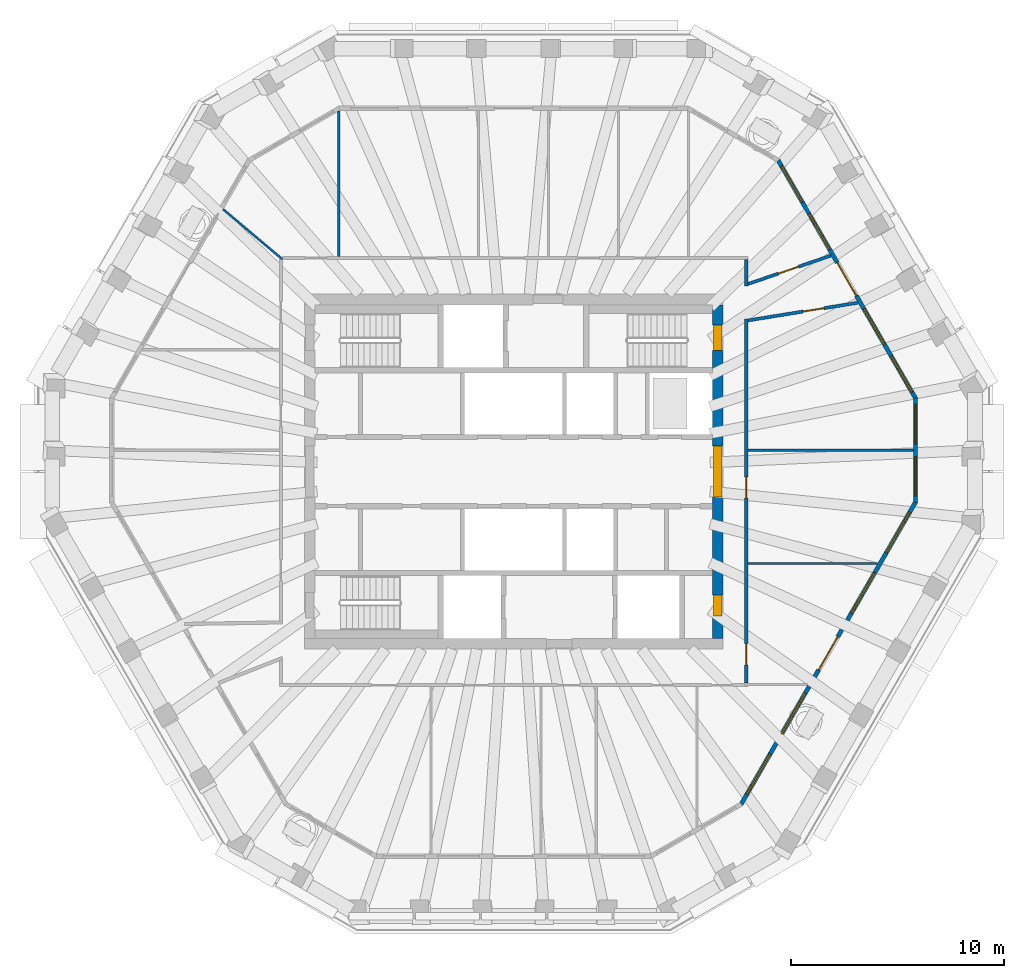
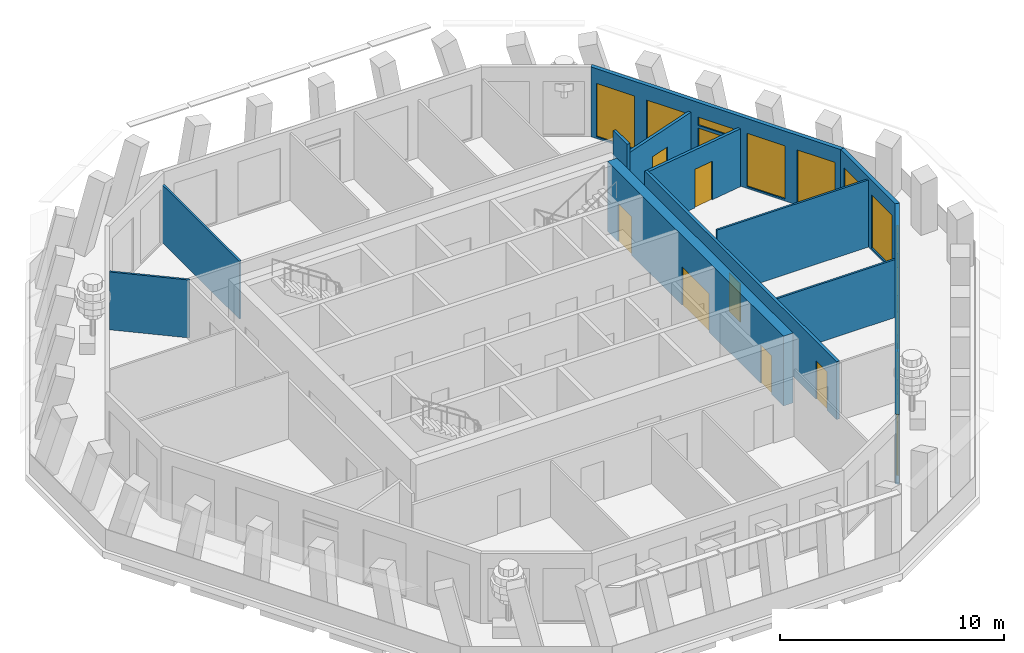
# One storey, part 6 of 11: 12 walls, 12 windows, 9 doors, 21 openings.
"""IFC4 building model written with IfcOpenShell, lengths in metres."""

import ifcopenshell
import ifcopenshell.guid

model = None  # the IFC model being written
_history = None  # IfcOwnerHistory: only IFC2X3 demands one
_inside = {}  # id of a spatial element -> (the spatial element, [elements in it])
_under = {}  # id of a project, library or spatial element -> (it, [spatial elements below it])
_declared = {}  # id of a project -> (the project, [libraries it declares])
_typed = {}  # id of a type object -> (the type object, [elements of that type])
_made_of = {}  # id of a material, layer set ... -> (it, [elements and type objects made of it])


def new_model(schema):
    """Start an empty IFC model of exactly this schema.

    Asked for "IFC4X3", IfcOpenShell would pick the latest addendum, in which some entities
    have other attributes; the version numbers below select the first issue.
    IFC2X3 requires an IfcOwnerHistory on every rooted entity: one is made here for all.
    """
    global model, _history
    if schema == "IFC4X3":
        model = ifcopenshell.file(schema_version=(4, 3, 0, 0))
    else:
        model = ifcopenshell.file(schema=schema)
    _inside.clear()
    _under.clear()
    _declared.clear()
    _typed.clear()
    _made_of.clear()
    _history = None
    if model.schema == "IFC2X3":
        org = make("IfcOrganization", Name="unknown")
        user = make(
            "IfcPersonAndOrganization",
            ThePerson=make("IfcPerson", FamilyName="unknown"),
            TheOrganization=org,
        )
        app = make(
            "IfcApplication",
            ApplicationDeveloper=org,
            Version="unknown",
            ApplicationFullName="unknown",
            ApplicationIdentifier="unknown",
        )
        _history = make(
            "IfcOwnerHistory",
            OwningUser=user,
            OwningApplication=app,
            ChangeAction="ADDED",
            CreationDate=0,
        )
    return model


def make(cls, **values):
    """One entity of the class cls with the attributes given. An attribute that is None is left unset."""
    return model.create_entity(
        cls, **{name: value for name, value in values.items() if value is not None}
    )


def rooted(cls, **values):
    """An entity with a GlobalId (a new one), such as an element, a storey or a relation."""
    return make(cls, GlobalId=ifcopenshell.guid.new(), OwnerHistory=_history, **values)


def si_unit(unit_type, name, prefix=None):
    """IfcSIUnit, for example si_unit("LENGTHUNIT", "METRE", prefix="MILLI")."""
    return make("IfcSIUnit", UnitType=unit_type, Prefix=prefix, Name=name)


def assignment(units):
    """IfcUnitAssignment: the units of a project."""
    return None if units is None else make("IfcUnitAssignment", Units=units)


def point(xyz):
    """IfcCartesianPoint."""
    return None if xyz is None else make("IfcCartesianPoint", Coordinates=xyz)


def direction(xyz):
    """IfcDirection."""
    return None if xyz is None else make("IfcDirection", DirectionRatios=xyz)


def frame(location, z_axis=None, x_axis=None):
    """IfcAxis2Placement3D, a coordinate frame: its origin and axes. An axis left out is left unset."""
    return make(
        "IfcAxis2Placement3D",
        Location=point(location),
        Axis=direction(z_axis),
        RefDirection=direction(x_axis),
    )


def frame_2d(location, x_axis=None):
    """IfcAxis2Placement2D, a coordinate frame in the plane: its origin and x axis."""
    return make(
        "IfcAxis2Placement2D", Location=point(location), RefDirection=direction(x_axis)
    )


def origin():
    """The frame at (0, 0, 0) with its axes left unset."""
    return frame((0.0, 0.0, 0.0))


def place(relative_to, where):
    """IfcLocalPlacement: puts the frame where relative to a parent placement (None: the world)."""
    return make(
        "IfcLocalPlacement", PlacementRelTo=relative_to, RelativePlacement=where
    )


def context(
    kind, dimensions, precision=None, world=None, true_north=None, identifier=None
):
    """IfcGeometricRepresentationContext, for example the 3D "Model" context."""
    return make(
        "IfcGeometricRepresentationContext",
        ContextIdentifier=identifier,
        ContextType=kind,
        CoordinateSpaceDimension=dimensions,
        Precision=precision,
        WorldCoordinateSystem=world,
        TrueNorth=true_north,
    )


def subcontext(parent, identifier, kind, view, scale=None):
    """IfcGeometricRepresentationSubContext, for example "Body" below "Model"."""
    return make(
        "IfcGeometricRepresentationSubContext",
        ContextIdentifier=identifier,
        ContextType=kind,
        ParentContext=parent,
        TargetScale=scale,
        TargetView=view,
    )


def project(units=None, contexts=None):
    """IfcProject with its units and contexts."""
    return rooted(
        "IfcProject",
        Name="project",
        RepresentationContexts=contexts,
        UnitsInContext=assignment(units),
    )


def spatial(cls, under=None, at=None, **own):
    """A site, building, storey or space (cls), placed at a placement, below another one or the project."""
    s = rooted(cls, ObjectPlacement=at, **own)
    if under is not None:
        _under.setdefault(under.id(), (under, []))[1].append(s)
    return s


def polyline(points):
    """IfcPolyline through the points."""
    return make("IfcPolyline", Points=[point(p) for p in points])


def profile(cls, at=None, kind="AREA", **sizes):
    """A parametric profile (cls). Its sizes go by their IFC names, for example OverallWidth=200.0."""
    return make(cls, ProfileType=kind, Position=at, **sizes)


def rectangle(**sizes):
    """IfcRectangleProfileDef."""
    return profile("IfcRectangleProfileDef", **sizes)


def outline(outer, holes=None, kind="AREA"):
    """IfcArbitraryClosedProfileDef: a profile drawn as a closed curve; with holes, ...WithVoids."""
    if holes is None:
        return make("IfcArbitraryClosedProfileDef", ProfileType=kind, OuterCurve=outer)
    return make(
        "IfcArbitraryProfileDefWithVoids",
        ProfileType=kind,
        OuterCurve=outer,
        InnerCurves=holes,
    )


def extrude(swept, where, along, depth):
    """IfcExtrudedAreaSolid: the profile swept, set in the frame where, extruded along a direction by depth."""
    return make(
        "IfcExtrudedAreaSolid",
        SweptArea=swept,
        Position=where,
        ExtrudedDirection=direction(along),
        Depth=depth,
    )


def shape(context_of_items, identifier, shape_type, items):
    """IfcShapeRepresentation: the items that make up one representation, for example the "Body"."""
    return make(
        "IfcShapeRepresentation",
        ContextOfItems=context_of_items,
        RepresentationIdentifier=identifier,
        RepresentationType=shape_type,
        Items=items,
    )


def material(Name=None, Category=None):
    """IfcMaterial."""
    return make("IfcMaterial", Name=Name, Category=Category)


def layer(
    of_material, thickness, ventilated=None, Name=None, Category=None, Priority=None
):
    """IfcMaterialLayer: one layer of a wall or slab, of a material (None: an air gap)."""
    return make(
        "IfcMaterialLayer",
        Material=of_material,
        LayerThickness=thickness,
        IsVentilated=ventilated,
        Name=Name,
        Category=Category,
        Priority=Priority,
    )


def layer_set(layers, Name=None):
    """IfcMaterialLayerSet."""
    return make("IfcMaterialLayerSet", MaterialLayers=layers, LayerSetName=Name)


def made_of(thing, what):
    """Note that an element or type object is made of a material, layer set ...; save() writes the relation."""
    if what is not None:
        _made_of.setdefault(what.id(), (what, []))[1].append(thing)
    return thing


def type_object(cls, material=None, **own):
    """A type object (cls), such as IfcWallType, which elements share."""
    return made_of(rooted(cls, **own), material)


def element(
    cls,
    number,
    at=None,
    inside=None,
    cuts=None,
    type_object=None,
    material=None,
    context=None,
    identifier="Body",
    shape_type=None,
    held_by="IfcProductDefinitionShape",
    body=None,
    shapes=None,
    **own,
):
    """One element of the class cls, such as IfcWall. Its Tag is "e" and its number.

    at: its placement. inside: the storey or other place that contains it. cuts: it is an
    opening in that element (IfcRelVoidsElement). A single representation is given by context,
    identifier, shape_type and body (its items); several are given by shapes. held_by: the class
    of the entity that holds the representations. save() writes the other relations.
    """
    e = rooted(cls, Tag="e%d" % number, ObjectPlacement=at, **own)
    if body is not None:
        shapes = [shape(context, identifier, shape_type, body)]
    if shapes is not None:
        e.Representation = make(held_by, Representations=shapes)
    if inside is not None:
        _inside.setdefault(inside.id(), (inside, []))[1].append(e)
    if cuts is not None:
        rooted(
            "IfcRelVoidsElement", RelatingBuildingElement=cuts, RelatedOpeningElement=e
        )
    if type_object is not None:
        _typed.setdefault(type_object.id(), (type_object, []))[1].append(e)
    return made_of(e, material)


def fill(opening, filler):
    """IfcRelFillsElement: the door or window that sits in an opening."""
    return rooted(
        "IfcRelFillsElement",
        RelatingOpeningElement=opening,
        RelatedBuildingElement=filler,
    )


def aggregate(whole, parts):
    """IfcRelAggregates: a whole, such as a stair, and the parts it consists of."""
    return rooted("IfcRelAggregates", RelatingObject=whole, RelatedObjects=parts)


def save(model, path):
    """Write the relations noted so far, then the file.

    IfcRelAggregates (storeys below a building ...), IfcRelContainedInSpatialStructure (elements
    in a storey), IfcRelDefinesByType, IfcRelAssociatesMaterial and IfcRelDeclares: one each for
    every whole, place, type object, material and project.
    """
    for whole, parts in _under.values():
        aggregate(whole, parts)
    for where, things in _inside.values():
        rooted(
            "IfcRelContainedInSpatialStructure",
            RelatedElements=things,
            RelatingStructure=where,
        )
    for kind, things in _typed.values():
        rooted("IfcRelDefinesByType", RelatedObjects=things, RelatingType=kind)
    for what, things in _made_of.values():
        rooted("IfcRelAssociatesMaterial", RelatedObjects=things, RelatingMaterial=what)
    for by, libraries in _declared.values():
        rooted("IfcRelDeclares", RelatingContext=by, RelatedDefinitions=libraries)
    model.write(path)


model = new_model("IFC4")

# Units and contexts
model_context = context("Model", 3, precision=1e-05, world=origin(), true_north=direction((0.0, 1.0)))
body_context = subcontext(model_context, "Body", "Model", "MODEL_VIEW")
ifc_project = project(units=[si_unit("LENGTHUNIT", "METRE"), si_unit("AREAUNIT", "SQUARE_METRE"), si_unit("VOLUMEUNIT", "CUBIC_METRE"), si_unit("PLANEANGLEUNIT", "RADIAN"), si_unit("MASSUNIT", "GRAM", prefix="KILO")], contexts=[model_context])

# Site, building, storey
site_placement = place(None, origin())
site = spatial("IfcSite", under=ifc_project, at=site_placement, CompositionType="ELEMENT")
building_placement = place(site_placement, origin())
building = spatial("IfcBuilding", under=site, at=building_placement, Name="Frailejon Research Tower", CompositionType="ELEMENT")
storey_placement = place(building_placement, frame((0.0, 0.0, 340.60009765625)))
storey = spatial("IfcBuildingStorey", under=building, at=storey_placement, Name="L76", CompositionType="ELEMENT", Elevation=340.60009765625)

# Wall, openings, doors
ifc_material_1 = material(Name="Concrete C50/60", Category="concrete")
ifc_layer_1 = layer(ifc_material_1, 0.5)
ifc_layer_set_1 = layer_set([ifc_layer_1], Name="Core shear wall 500 C50/60")
wall_type_1 = type_object("IfcWallType", Name="Core shear wall 500 C50/60", PredefinedType="SHEAR", material=ifc_layer_set_1)
wall_1_placement = place(storey_placement, frame((9.60009765625, -7.85009765625, 0.0), z_axis=(0.0, 0.0, 1.0), x_axis=(0.0, 1.0, 0.0)))
wall_1 = element("IfcWall", 1, at=wall_1_placement, inside=storey, type_object=wall_type_1, Name="Core shear wall", PredefinedType="SHEAR", context=body_context, shape_type="SweptSolid", body=[
    extrude(rectangle(XDim=15.7001953125, YDim=0.5, at=frame_2d((7.85009765625, 0.0))), origin(), (0.0, 0.0, 1.0), 3.7998046875),
])
opening_1_placement = place(wall_1_placement, frame((6.64990234375, 0.0, 0.0)))
opening_1 = element("IfcOpeningElement", 2, at=opening_1_placement, cuts=wall_1, Name="Opening D2", PredefinedType="OPENING", context=body_context, shape_type="SweptSolid", body=[
    extrude(rectangle(XDim=2.39990234375, YDim=2.10009765625, at=frame_2d((1.199951171875, 1.050048828125))), frame((0.0, 0.260009765625, 0.0), z_axis=(0.0, -1.0, 0.0), x_axis=(1.0, 0.0, 0.0)), (0.0, 0.0, 1.0), 0.52001953125),
])
opening_2_placement = place(wall_1_placement, frame((13.550048828125, 0.0, 0.0)))
opening_2 = element("IfcOpeningElement", 3, at=opening_2_placement, cuts=wall_1, Name="Opening D1", PredefinedType="OPENING", context=body_context, shape_type="SweptSolid", body=[
    extrude(rectangle(XDim=1.199951171875, YDim=2.10009765625, at=frame_2d((0.60009765625, 1.050048828125))), frame((0.0, 0.260009765625, 0.0), z_axis=(0.0, -1.0, 0.0), x_axis=(1.0, 0.0, 0.0)), (0.0, 0.0, 1.0), 0.52001953125),
])
opening_3_placement = place(wall_1_placement, frame((1.050048828125, 0.0, 0.0)))
opening_3 = element("IfcOpeningElement", 4, at=opening_3_placement, cuts=wall_1, Name="Opening D4", PredefinedType="OPENING", context=body_context, shape_type="SweptSolid", body=[
    extrude(rectangle(XDim=1.0, YDim=2.10009765625, at=frame_2d((0.5, 1.050048828125))), frame((0.0, 0.260009765625, 0.0), z_axis=(0.0, -1.0, 0.0), x_axis=(1.0, 0.0, 0.0)), (0.0, 0.0, 1.0), 0.52001953125),
])
ifc_material_2 = material(Name="Steel", Category="steel")
door_type_1 = type_object("IfcDoorType", Name="Lobby double door", OperationType="DOUBLE_DOOR_SINGLE_SWING", PredefinedType="DOOR", material=ifc_material_2)
door_1_placement = place(opening_1_placement, origin())
door_1 = element("IfcDoor", 5, at=door_1_placement, inside=storey, type_object=door_type_1, Name="Lobby door", OperationType="DOUBLE_DOOR_SINGLE_SWING", OverallHeight=2.10009765625, OverallWidth=2.39990234375, PredefinedType="DOOR", context=body_context, shape_type="SweptSolid", body=[
    extrude(rectangle(XDim=2.39990234375, YDim=2.10009765625, at=frame_2d((1.199951171875, 1.050048828125))), frame((0.0, 0.199951171875, 0.0), z_axis=(0.0, -1.0, 0.0), x_axis=(1.0, 0.0, 0.0)), (0.0, 0.0, 1.0), 0.39990234375),
])
fill(opening_1, door_1)
ifc_material_3 = material(Name="Steel", Category="steel")
door_type_2 = type_object("IfcDoorType", Name="Service door", OperationType="SINGLE_SWING_LEFT", PredefinedType="DOOR", material=ifc_material_3)
door_2_placement = place(opening_3_placement, origin())
door_2 = element("IfcDoor", 6, at=door_2_placement, inside=storey, type_object=door_type_2, Name="Riser door", OperationType="SINGLE_SWING_LEFT", OverallHeight=2.10009765625, OverallWidth=1.0, PredefinedType="DOOR", context=body_context, shape_type="SweptSolid", body=[
    extrude(rectangle(XDim=1.0, YDim=2.10009765625, at=frame_2d((0.5, 1.050048828125))), frame((0.0, 0.199951171875, 0.0), z_axis=(0.0, -1.0, 0.0), x_axis=(1.0, 0.0, 0.0)), (0.0, 0.0, 1.0), 0.39990234375),
])
fill(opening_3, door_2)
ifc_material_4 = material(Name="Steel", Category="steel")
door_type_3 = type_object("IfcDoorType", Name="Stair door", OperationType="SINGLE_SWING_LEFT", PredefinedType="DOOR", material=ifc_material_4)
door_3_placement = place(opening_2_placement, origin())
door_3 = element("IfcDoor", 7, at=door_3_placement, inside=storey, type_object=door_type_3, Name="Stair door ST3", OperationType="SINGLE_SWING_RIGHT", OverallHeight=2.10009765625, OverallWidth=1.199951171875, PredefinedType="DOOR", context=body_context, shape_type="SweptSolid", body=[
    extrude(rectangle(XDim=1.199951171875, YDim=2.10009765625, at=frame_2d((0.60009765625, 1.050048828125))), frame((0.0, 0.199951171875, 0.0), z_axis=(0.0, -1.0, 0.0), x_axis=(1.0, 0.0, 0.0)), (0.0, 0.0, 1.0), 0.39990234375),
])
fill(opening_2, door_3)

# Wall, opening, door
ifc_material_5 = material(Name="Gypsum board and masonry partition", Category="masonry")
ifc_layer_2 = layer(ifc_material_5, 0.14990234375)
ifc_layer_set_2 = layer_set([ifc_layer_2], Name="Corridor wall EI 60, gypsum on steel studs 150")
wall_type_2 = type_object("IfcWallType", Name="Corridor wall EI 60, gypsum on steel studs 150", PredefinedType="PARTITIONING", material=ifc_layer_set_2)
wall_2_placement = place(storey_placement, frame((11.02392578125, 7.11181640625, 0.0), z_axis=(0.0, 0.0, 1.0), x_axis=(0.987284504, 0.158963228962, 0.0)))
wall_2 = element("IfcWall", 8, at=wall_2_placement, inside=storey, type_object=wall_type_2, Name="T:IW:L76:001", PredefinedType="PARTITIONING", context=body_context, shape_type="SweptSolid", body=[
    extrude(rectangle(XDim=5.246337890625, YDim=0.14990234375, at=frame_2d((2.623046875, 0.0))), origin(), (0.0, 0.0, 1.0), 3.14990234375),
])
opening_4_placement = place(wall_2_placement, frame((2.62890625, 0.0, 0.0)))
opening_4 = element("IfcOpeningElement", 9, at=opening_4_placement, cuts=wall_2, Name="Opening D2414", PredefinedType="OPENING", context=body_context, shape_type="SweptSolid", body=[
    extrude(rectangle(XDim=1.0, YDim=2.10009765625, at=frame_2d((0.5, 1.050048828125))), frame((0.0, 0.0849609375, 0.0), z_axis=(0.0, -1.0, 0.0), x_axis=(1.0, 0.0, 0.0)), (0.0, 0.0, 1.0), 0.169921875),
])
ifc_material_6 = material(Name="Timber door leaf", Category="wood")
door_type_4 = type_object("IfcDoorType", Name="Door single leaf, timber, steel frame 1000", OperationType="NOTDEFINED", PredefinedType="DOOR", material=ifc_material_6)
door_4_placement = place(opening_4_placement, origin())
door_4 = element("IfcDoor", 10, at=door_4_placement, inside=storey, type_object=door_type_4, Name="D2414", OperationType="SINGLE_SWING_RIGHT", OverallHeight=2.10009765625, OverallWidth=1.0, PredefinedType="DOOR", context=body_context, shape_type="SweptSolid", body=[
    extrude(rectangle(XDim=1.0, YDim=2.10009765625, at=frame_2d((0.5, 1.050048828125))), frame((0.0, 0.02490234375, 0.0), z_axis=(0.0, -1.0, 0.0), x_axis=(1.0, 0.0, 0.0)), (0.0, 0.0, 1.0), 0.050048828125),
])
fill(opening_4, door_4)

wall_3_placement = place(storey_placement, frame((11.02099609375, 8.82421875, 0.0), z_axis=(0.0, 0.0, 1.0), x_axis=(0.94616303127, 0.323690466738, 0.0)))
wall_3 = element("IfcWall", 11, at=wall_3_placement, inside=storey, type_object=wall_type_2, Name="T:IW:L76:002", PredefinedType="PARTITIONING", context=body_context, shape_type="SweptSolid", body=[
    extrude(rectangle(XDim=4.12646484375, YDim=0.14990234375, at=frame_2d((2.063232421875, 0.0))), origin(), (0.0, 0.0, 1.0), 3.14990234375),
])
opening_5_placement = place(wall_3_placement, frame((1.525634765625, 0.0, 0.0)))
opening_5 = element("IfcOpeningElement", 12, at=opening_5_placement, cuts=wall_3, Name="Opening D2415", PredefinedType="OPENING", context=body_context, shape_type="SweptSolid", body=[
    extrude(rectangle(XDim=1.0, YDim=2.10009765625, at=frame_2d((0.5, 1.050048828125))), frame((0.0, 0.0849609375, 0.0), z_axis=(0.0, -1.0, 0.0), x_axis=(1.0, 0.0, 0.0)), (0.0, 0.0, 1.0), 0.169921875),
])
door_5_placement = place(opening_5_placement, origin())
door_5 = element("IfcDoor", 13, at=door_5_placement, inside=storey, type_object=door_type_4, Name="D2415", OperationType="SINGLE_SWING_LEFT", OverallHeight=2.10009765625, OverallWidth=1.0, PredefinedType="DOOR", context=body_context, shape_type="SweptSolid", body=[
    extrude(rectangle(XDim=1.0, YDim=2.10009765625, at=frame_2d((0.5, 1.050048828125))), frame((0.0, 0.02490234375, 0.0), z_axis=(0.0, -1.0, 0.0), x_axis=(1.0, 0.0, 0.0)), (0.0, 0.0, 1.0), 0.050048828125),
])
fill(opening_5, door_5)

# Wall, openings, doors
wall_4_placement = place(storey_placement, frame((10.949951171875, -9.94970703125, 0.0), z_axis=(0.0, 0.0, 1.0), x_axis=(0.0, 1.0, 0.0)))
wall_4 = element("IfcWall", 14, at=wall_4_placement, inside=storey, type_object=wall_type_2, Name="T:IW:L76:003", PredefinedType="PARTITIONING", context=body_context, shape_type="SweptSolid", body=[
    extrude(rectangle(XDim=17.124755859375, YDim=0.14990234375, at=frame_2d((8.5625, 0.0))), origin(), (0.0, 0.0, 1.0), 3.14990234375),
])
opening_6_placement = place(wall_4_placement, frame((0.849609375, 0.0, 0.0)))
opening_6 = element("IfcOpeningElement", 15, at=opening_6_placement, cuts=wall_4, Name="Opening D2429", PredefinedType="OPENING", context=body_context, shape_type="SweptSolid", body=[
    extrude(rectangle(XDim=1.0, YDim=2.10009765625, at=frame_2d((0.5, 1.050048828125))), frame((0.0, 0.0849609375, 0.0), z_axis=(0.0, -1.0, 0.0), x_axis=(1.0, 0.0, 0.0)), (0.0, 0.0, 1.0), 0.169921875),
])
opening_7_placement = place(wall_4_placement, frame((8.697265625, 0.0, 0.0)))
opening_7 = element("IfcOpeningElement", 16, at=opening_7_placement, cuts=wall_4, Name="Opening D2430", PredefinedType="OPENING", context=body_context, shape_type="SweptSolid", body=[
    extrude(rectangle(XDim=1.0, YDim=2.10009765625, at=frame_2d((0.5, 1.050048828125))), frame((0.0, 0.0849609375, 0.0), z_axis=(0.0, -1.0, 0.0), x_axis=(1.0, 0.0, 0.0)), (0.0, 0.0, 1.0), 0.169921875),
])
door_6_placement = place(opening_6_placement, origin())
door_6 = element("IfcDoor", 17, at=door_6_placement, inside=storey, type_object=door_type_4, Name="D2429", OperationType="SINGLE_SWING_RIGHT", OverallHeight=2.10009765625, OverallWidth=1.0, PredefinedType="DOOR", context=body_context, shape_type="SweptSolid", body=[
    extrude(rectangle(XDim=1.0, YDim=2.10009765625, at=frame_2d((0.5, 1.050048828125))), frame((0.0, 0.02490234375, 0.0), z_axis=(0.0, -1.0, 0.0), x_axis=(1.0, 0.0, 0.0)), (0.0, 0.0, 1.0), 0.050048828125),
])
fill(opening_6, door_6)
door_7_placement = place(opening_7_placement, origin())
door_7 = element("IfcDoor", 18, at=door_7_placement, inside=storey, type_object=door_type_4, Name="D2430", OperationType="SINGLE_SWING_RIGHT", OverallHeight=2.10009765625, OverallWidth=1.0, PredefinedType="DOOR", context=body_context, shape_type="SweptSolid", body=[
    extrude(rectangle(XDim=1.0, YDim=2.10009765625, at=frame_2d((0.5, 1.050048828125))), frame((0.0, 0.02490234375, 0.0), z_axis=(0.0, -1.0, 0.0), x_axis=(1.0, 0.0, 0.0)), (0.0, 0.0, 1.0), 0.050048828125),
])
fill(opening_7, door_7)

# Walls
wall_5_placement = place(storey_placement, frame((10.949951171875, 8.72509765625, 0.0), z_axis=(0.0, 0.0, 1.0), x_axis=(0.0, 1.0, 0.0)))
element("IfcWall", 19, at=wall_5_placement, inside=storey, type_object=wall_type_2, Name="T:IW:L76:004", PredefinedType="PARTITIONING", context=body_context, shape_type="SweptSolid", body=[
    extrude(rectangle(XDim=1.25, YDim=0.14990234375, at=frame_2d((0.625, 0.0))), origin(), (0.0, 0.0, 1.0), 3.64990234375),
])
ifc_material_7 = material(Name="Gypsum board and masonry partition", Category="masonry")
ifc_layer_3 = layer(ifc_material_7, 0.10009765625)
ifc_layer_set_3 = layer_set([ifc_layer_3], Name="Partition, gypsum on steel studs 100")
wall_type_3 = type_object("IfcWallType", Name="Partition, gypsum on steel studs 100", PredefinedType="PARTITIONING", material=ifc_layer_set_3)
wall_6_placement = place(storey_placement, frame((11.02490234375, 1.005615234375, 0.0), z_axis=(0.0, 0.0, 1.0), x_axis=(1.0, 0.0, 0.0)))
element("IfcWall", 20, at=wall_6_placement, inside=storey, type_object=wall_type_3, Name="T:IW:L76:012", PredefinedType="PARTITIONING", context=body_context, shape_type="SweptSolid", body=[
    extrude(rectangle(XDim=7.783203125, YDim=0.10009765625, at=frame_2d((3.8916015625, 0.0))), origin(), (0.0, 0.0, 1.0), 3.64990234375),
])
wall_7_placement = place(storey_placement, frame((-8.22509765625, 10.125, 0.0), z_axis=(0.0, 0.0, 1.0), x_axis=(0.0, 1.0, 0.0)))
element("IfcWall", 21, at=wall_7_placement, inside=storey, type_object=wall_type_3, Name="T:IW:L76:017", PredefinedType="PARTITIONING", context=body_context, shape_type="SweptSolid", body=[
    extrude(rectangle(XDim=6.843994140625, YDim=0.10009765625, at=frame_2d((3.421875, 0.0))), origin(), (0.0, 0.0, 1.0), 3.14990234375),
])
wall_8_placement = place(storey_placement, frame((-13.666259765625, 12.340576171875, 0.0), z_axis=(0.0, 0.0, 1.0), x_axis=(0.764485258914, -0.644641209436, 0.0)))
element("IfcWall", 22, at=wall_8_placement, inside=storey, type_object=wall_type_3, Name="T:IW:L76:018", PredefinedType="PARTITIONING", context=body_context, shape_type="SweptSolid", body=[
    extrude(rectangle(XDim=3.628173828125, YDim=0.10009765625, at=frame_2d((1.81396484375, 0.0))), origin(), (0.0, 0.0, 1.0), 3.14990234375),
])
wall_9_placement = place(storey_placement, frame((11.02490234375, -4.326171875, 0.0), z_axis=(0.0, 0.0, 1.0), x_axis=(1.0, 0.0, 0.0)))
element("IfcWall", 23, at=wall_9_placement, inside=storey, type_object=wall_type_3, Name="T:IW:L76:025", PredefinedType="PARTITIONING", context=body_context, shape_type="SweptSolid", body=[
    extrude(rectangle(XDim=6.107177734375, YDim=0.10009765625, at=frame_2d((3.0537109375, 0.0))), origin(), (0.0, 0.0, 1.0), 3.14990234375),
])

# Wall, openings, windows
ifc_material_8 = material(Name="Concrete C40/50 precast window wall panel", Category="concrete")
ifc_layer_4 = layer(ifc_material_8, 0.199951171875)
ifc_layer_set_4 = layer_set([ifc_layer_4], Name="Window wall 200")
wall_type_4 = type_object("IfcWallType", Name="Window wall 200", PredefinedType="SOLIDWALL", material=ifc_layer_set_4)
wall_10_placement = place(storey_placement, frame((18.908203125, -1.4501953125, 0.0), z_axis=(0.0, 0.0, 1.0), x_axis=(0.0, 1.0, 0.0)))
wall_10 = element("IfcWall", 24, at=wall_10_placement, inside=storey, type_object=wall_type_4, Name="Exterior wall L76", PredefinedType="SOLIDWALL", context=body_context, shape_type="SweptSolid", body=[
    extrude(outline(polyline([(-0.02685546875, -0.10009765625), (1.21435546875, -0.10009765625), (2.455810546875, -0.10009765625), (3.697265625, -0.10009765625), (4.9384765625, -0.10009765625), (4.884765625, 0.10009765625), (3.67041015625, 0.10009765625), (2.455810546875, 0.10009765625), (1.2412109375, 0.10009765625), (0.02685546875, 0.10009765625), (-0.02685546875, -0.10009765625)])), origin(), (0.0, 0.0, 1.0), 3.7998046875),
])
opening_8_placement = place(wall_10_placement, frame((0.302978515625, 0.0, 0.10009765625)))
opening_8 = element("IfcOpeningElement", 25, at=opening_8_placement, cuts=wall_10, Name="Opening W26", PredefinedType="OPENING", context=body_context, shape_type="SweptSolid", body=[
    extrude(rectangle(XDim=1.85009765625, YDim=2.89990234375, at=frame_2d((0.925048828125, 1.449951171875))), frame((0.0, 0.10986328125, 0.0), z_axis=(0.0, -1.0, 0.0), x_axis=(1.0, 0.0, 0.0)), (0.0, 0.0, 1.0), 0.219970703125),
])
opening_9_placement = place(wall_10_placement, frame((2.7587890625, 0.0, 0.10009765625)))
opening_9 = element("IfcOpeningElement", 26, at=opening_9_placement, cuts=wall_10, Name="Opening W26", PredefinedType="OPENING", context=body_context, shape_type="SweptSolid", body=[
    extrude(rectangle(XDim=1.85009765625, YDim=2.89990234375, at=frame_2d((0.925048828125, 1.449951171875))), frame((0.0, 0.10986328125, 0.0), z_axis=(0.0, -1.0, 0.0), x_axis=(1.0, 0.0, 0.0)), (0.0, 0.0, 1.0), 0.219970703125),
])
ifc_material_9 = material(Name="Aluminium framed double glazing", Category="aluminium")
window_type_1 = type_object("IfcWindowType", Name="Window 1850x2900", PartitioningType="SINGLE_PANEL", PredefinedType="WINDOW", material=ifc_material_9)
window_1_placement = place(opening_8_placement, origin())
window_1 = element("IfcWindow", 27, at=window_1_placement, inside=storey, type_object=window_type_1, Name="Window L76", OverallHeight=2.89990234375, OverallWidth=1.85009765625, PartitioningType="SINGLE_PANEL", PredefinedType="WINDOW", context=body_context, shape_type="SweptSolid", body=[
    extrude(rectangle(XDim=1.85009765625, YDim=2.89990234375, at=frame_2d((0.925048828125, 1.449951171875))), frame((0.0, 0.030029296875, 0.0), z_axis=(0.0, -1.0, 0.0), x_axis=(1.0, 0.0, 0.0)), (0.0, 0.0, 1.0), 0.06005859375),
])
fill(opening_8, window_1)
window_2_placement = place(opening_9_placement, origin())
window_2 = element("IfcWindow", 28, at=window_2_placement, inside=storey, type_object=window_type_1, Name="Window L76", OverallHeight=2.89990234375, OverallWidth=1.85009765625, PartitioningType="SINGLE_PANEL", PredefinedType="WINDOW", context=body_context, shape_type="SweptSolid", body=[
    extrude(rectangle(XDim=1.85009765625, YDim=2.89990234375, at=frame_2d((0.925048828125, 1.449951171875))), frame((0.0, 0.030029296875, 0.0), z_axis=(0.0, -1.0, 0.0), x_axis=(1.0, 0.0, 0.0)), (0.0, 0.0, 1.0), 0.06005859375),
])
fill(opening_9, window_2)

# Wall, openings, door, windows
wall_11_placement = place(storey_placement, frame((18.908203125, 3.46142578125, 0.0), z_axis=(0.0, 0.0, 1.0), x_axis=(-0.499992497538, 0.86602973529, 0.0)))
wall_11 = element("IfcWall", 29, at=wall_11_placement, inside=storey, type_object=wall_type_4, Name="Exterior wall L76", PredefinedType="SOLIDWALL", context=body_context, shape_type="SweptSolid", body=[
    extrude(outline(polyline([(-0.02685546875, -0.10009765625), (1.0537109375, -0.10009765625), (2.13427734375, -0.10009765625), (3.21484375, -0.10009765625), (4.29541015625, -0.10009765625), (5.3759765625, -0.10009765625), (6.45654296875, -0.10009765625), (7.536865234375, -0.10009765625), (8.617431640625, -0.10009765625), (9.697998046875, -0.10009765625), (10.778564453125, -0.10009765625), (11.859130859375, -0.10009765625), (12.939697265625, -0.10009765625), (12.885986328125, 0.10009765625), (11.814453125, 0.10009765625), (10.74267578125, 0.10009765625), (9.671142578125, 0.10009765625), (8.599609375, 0.10009765625), (7.528076171875, 0.10009765625), (6.45654296875, 0.10009765625), (5.384765625, 0.10009765625), (4.313232421875, 0.10009765625), (3.24169921875, 0.10009765625), (2.169921875, 0.10009765625), (1.098388671875, 0.10009765625), (0.02685546875, 0.10009765625), (-0.02685546875, -0.10009765625)])), origin(), (0.0, 0.0, 1.0), 3.7998046875),
])
opening_10_placement = place(wall_11_placement, frame((0.31640625, 0.0, 0.10009765625)))
opening_10 = element("IfcOpeningElement", 30, at=opening_10_placement, cuts=wall_11, Name="Opening W27", PredefinedType="OPENING", context=body_context, shape_type="SweptSolid", body=[
    extrude(rectangle(XDim=1.949951171875, YDim=2.89990234375, at=frame_2d((0.97509765625, 1.449951171875))), frame((0.0, 0.10986328125, 0.0), z_axis=(0.0, -1.0, 0.0), x_axis=(1.0, 0.0, 0.0)), (0.0, 0.0, 1.0), 0.219970703125),
])
opening_11_placement = place(wall_11_placement, frame((2.898681640625, 0.0, 0.10009765625)))
opening_11 = element("IfcOpeningElement", 31, at=opening_11_placement, cuts=wall_11, Name="Opening W27", PredefinedType="OPENING", context=body_context, shape_type="SweptSolid", body=[
    extrude(rectangle(XDim=1.949951171875, YDim=2.89990234375, at=frame_2d((0.97509765625, 1.449951171875))), frame((0.0, 0.10986328125, 0.0), z_axis=(0.0, -1.0, 0.0), x_axis=(1.0, 0.0, 0.0)), (0.0, 0.0, 1.0), 0.219970703125),
])
opening_12_placement = place(wall_11_placement, frame((5.556396484375, 0.0, 0.0)))
opening_12 = element("IfcOpeningElement", 32, at=opening_12_placement, cuts=wall_11, Name="Opening LG76-1", PredefinedType="OPENING", context=body_context, shape_type="SweptSolid", body=[
    extrude(rectangle(XDim=1.800048828125, YDim=2.39990234375, at=frame_2d((0.89990234375, 1.199951171875))), frame((0.0, 0.10986328125, 0.0), z_axis=(0.0, -1.0, 0.0), x_axis=(1.0, 0.0, 0.0)), (0.0, 0.0, 1.0), 0.219970703125),
])
opening_13_placement = place(wall_11_placement, frame((5.556396484375, 0.0, 2.550048828125)))
opening_13 = element("IfcOpeningElement", 33, at=opening_13_placement, cuts=wall_11, Name="Opening W1", PredefinedType="OPENING", context=body_context, shape_type="SweptSolid", body=[
    extrude(rectangle(XDim=1.800048828125, YDim=0.449951171875, at=frame_2d((0.89990234375, 0.22509765625))), frame((0.0, 0.10986328125, 0.0), z_axis=(0.0, -1.0, 0.0), x_axis=(1.0, 0.0, 0.0)), (0.0, 0.0, 1.0), 0.219970703125),
])
opening_14_placement = place(wall_11_placement, frame((8.06396484375, 0.0, 0.10009765625)))
opening_14 = element("IfcOpeningElement", 34, at=opening_14_placement, cuts=wall_11, Name="Opening W27", PredefinedType="OPENING", context=body_context, shape_type="SweptSolid", body=[
    extrude(rectangle(XDim=1.949951171875, YDim=2.89990234375, at=frame_2d((0.97509765625, 1.449951171875))), frame((0.0, 0.10986328125, 0.0), z_axis=(0.0, -1.0, 0.0), x_axis=(1.0, 0.0, 0.0)), (0.0, 0.0, 1.0), 0.219970703125),
])
opening_15_placement = place(wall_11_placement, frame((10.646484375, 0.0, 0.10009765625)))
opening_15 = element("IfcOpeningElement", 35, at=opening_15_placement, cuts=wall_11, Name="Opening W27", PredefinedType="OPENING", context=body_context, shape_type="SweptSolid", body=[
    extrude(rectangle(XDim=1.949951171875, YDim=2.89990234375, at=frame_2d((0.97509765625, 1.449951171875))), frame((0.0, 0.10986328125, 0.0), z_axis=(0.0, -1.0, 0.0), x_axis=(1.0, 0.0, 0.0)), (0.0, 0.0, 1.0), 0.219970703125),
])
ifc_material_10 = material(Name="Aluminium framed glazed door leaf", Category="aluminium")
door_type_5 = type_object("IfcDoorType", Name="Loggia door 1800x2400", OperationType="DOUBLE_DOOR_SINGLE_SWING", PredefinedType="DOOR", material=ifc_material_10)
door_8_placement = place(opening_12_placement, origin())
door_8 = element("IfcDoor", 36, at=door_8_placement, inside=storey, type_object=door_type_5, Name="Door LG76-1", OperationType="DOUBLE_DOOR_SINGLE_SWING", OverallHeight=2.39990234375, OverallWidth=1.800048828125, PredefinedType="DOOR", context=body_context, shape_type="SweptSolid", body=[
    extrude(rectangle(XDim=1.800048828125, YDim=2.39990234375, at=frame_2d((0.89990234375, 1.199951171875))), frame((0.0, 0.02490234375, 0.0), z_axis=(0.0, -1.0, 0.0), x_axis=(1.0, 0.0, 0.0)), (0.0, 0.0, 1.0), 0.050048828125),
])
fill(opening_12, door_8)
ifc_material_11 = material(Name="Aluminium framed double glazing", Category="aluminium")
window_type_2 = type_object("IfcWindowType", Name="Window 1800x450", PartitioningType="SINGLE_PANEL", PredefinedType="WINDOW", material=ifc_material_11)
window_3_placement = place(opening_13_placement, origin())
window_3 = element("IfcWindow", 37, at=window_3_placement, inside=storey, type_object=window_type_2, Name="Window L76", OverallHeight=0.449951171875, OverallWidth=1.800048828125, PartitioningType="SINGLE_PANEL", PredefinedType="WINDOW", context=body_context, shape_type="SweptSolid", body=[
    extrude(rectangle(XDim=1.800048828125, YDim=0.449951171875, at=frame_2d((0.89990234375, 0.22509765625))), frame((0.0, 0.030029296875, 0.0), z_axis=(0.0, -1.0, 0.0), x_axis=(1.0, 0.0, 0.0)), (0.0, 0.0, 1.0), 0.06005859375),
])
fill(opening_13, window_3)
ifc_material_12 = material(Name="Aluminium framed double glazing", Category="aluminium")
window_type_3 = type_object("IfcWindowType", Name="Window 1950x2900", PartitioningType="SINGLE_PANEL", PredefinedType="WINDOW", material=ifc_material_12)
window_4_placement = place(opening_10_placement, origin())
window_4 = element("IfcWindow", 38, at=window_4_placement, inside=storey, type_object=window_type_3, Name="Window L76", OverallHeight=2.89990234375, OverallWidth=1.949951171875, PartitioningType="SINGLE_PANEL", PredefinedType="WINDOW", context=body_context, shape_type="SweptSolid", body=[
    extrude(rectangle(XDim=1.949951171875, YDim=2.89990234375, at=frame_2d((0.97509765625, 1.449951171875))), frame((0.0, 0.030029296875, 0.0), z_axis=(0.0, -1.0, 0.0), x_axis=(1.0, 0.0, 0.0)), (0.0, 0.0, 1.0), 0.06005859375),
])
fill(opening_10, window_4)
window_5_placement = place(opening_11_placement, origin())
window_5 = element("IfcWindow", 39, at=window_5_placement, inside=storey, type_object=window_type_3, Name="Window L76", OverallHeight=2.89990234375, OverallWidth=1.949951171875, PartitioningType="SINGLE_PANEL", PredefinedType="WINDOW", context=body_context, shape_type="SweptSolid", body=[
    extrude(rectangle(XDim=1.949951171875, YDim=2.89990234375, at=frame_2d((0.97509765625, 1.449951171875))), frame((0.0, 0.030029296875, 0.0), z_axis=(0.0, -1.0, 0.0), x_axis=(1.0, 0.0, 0.0)), (0.0, 0.0, 1.0), 0.06005859375),
])
fill(opening_11, window_5)
window_6_placement = place(opening_14_placement, origin())
window_6 = element("IfcWindow", 40, at=window_6_placement, inside=storey, type_object=window_type_3, Name="Window L76", OverallHeight=2.89990234375, OverallWidth=1.949951171875, PartitioningType="SINGLE_PANEL", PredefinedType="WINDOW", context=body_context, shape_type="SweptSolid", body=[
    extrude(rectangle(XDim=1.949951171875, YDim=2.89990234375, at=frame_2d((0.97509765625, 1.449951171875))), frame((0.0, 0.030029296875, 0.0), z_axis=(0.0, -1.0, 0.0), x_axis=(1.0, 0.0, 0.0)), (0.0, 0.0, 1.0), 0.06005859375),
])
fill(opening_14, window_6)
window_7_placement = place(opening_15_placement, origin())
window_7 = element("IfcWindow", 41, at=window_7_placement, inside=storey, type_object=window_type_3, Name="Window L76", OverallHeight=2.89990234375, OverallWidth=1.949951171875, PartitioningType="SINGLE_PANEL", PredefinedType="WINDOW", context=body_context, shape_type="SweptSolid", body=[
    extrude(rectangle(XDim=1.949951171875, YDim=2.89990234375, at=frame_2d((0.97509765625, 1.449951171875))), frame((0.0, 0.030029296875, 0.0), z_axis=(0.0, -1.0, 0.0), x_axis=(1.0, 0.0, 0.0)), (0.0, 0.0, 1.0), 0.06005859375),
])
fill(opening_15, window_7)

wall_12_placement = place(storey_placement, frame((10.7099609375, -15.64990234375, 0.0), z_axis=(0.0, 0.0, 1.0), x_axis=(0.500001715796, 0.866024413167, 0.0)))
wall_12 = element("IfcWall", 42, at=wall_12_placement, inside=storey, type_object=wall_type_4, Name="Exterior wall L76", PredefinedType="SOLIDWALL", context=body_context, shape_type="SweptSolid", body=[
    extrude(outline(polyline([(-0.02685546875, -0.10009765625), (1.001220703125, -0.10009765625), (2.029296875, -0.10009765625), (3.0576171875, -0.10009765625), (4.085693359375, -0.10009765625), (5.11376953125, -0.10009765625), (6.14208984375, -0.10009765625), (7.170166015625, -0.10009765625), (8.1982421875, -0.10009765625), (9.226318359375, -0.10009765625), (10.25439453125, -0.10009765625), (11.28271484375, -0.10009765625), (12.310791015625, -0.10009765625), (13.3388671875, -0.10009765625), (14.3671875, -0.10009765625), (15.395263671875, -0.10009765625), (16.42333984375, -0.10009765625), (16.36962890625, 0.10009765625), (15.34814453125, 0.10009765625), (14.32666015625, 0.10009765625), (13.305419921875, 0.10009765625), (12.283935546875, 0.10009765625), (11.262451171875, 0.10009765625), (10.2412109375, 0.10009765625), (9.2197265625, 0.10009765625), (8.1982421875, 0.10009765625), (7.1767578125, 0.10009765625), (6.1552734375, 0.10009765625), (5.134033203125, 0.10009765625), (4.112548828125, 0.10009765625), (3.091064453125, 0.10009765625), (2.06982421875, 0.10009765625), (1.04833984375, 0.10009765625), (0.02685546875, 0.10009765625), (-0.02685546875, -0.10009765625)])), origin(), (0.0, 0.0, 1.0), 3.7998046875),
])
opening_16_placement = place(wall_12_placement, frame((0.53955078125, 0.0, 0.10009765625)))
opening_16 = element("IfcOpeningElement", 43, at=opening_16_placement, cuts=wall_12, Name="Opening W28", PredefinedType="OPENING", context=body_context, shape_type="SweptSolid", body=[
    extrude(rectangle(XDim=2.199951171875, YDim=2.89990234375, at=frame_2d((1.10009765625, 1.449951171875))), frame((0.0, 0.10986328125, 0.0), z_axis=(0.0, -1.0, 0.0), x_axis=(1.0, 0.0, 0.0)), (0.0, 0.0, 1.0), 0.219970703125),
])
opening_17_placement = place(wall_12_placement, frame((3.81884765625, 0.0, 0.10009765625)))
opening_17 = element("IfcOpeningElement", 44, at=opening_17_placement, cuts=wall_12, Name="Opening W28", PredefinedType="OPENING", context=body_context, shape_type="SweptSolid", body=[
    extrude(rectangle(XDim=2.199951171875, YDim=2.89990234375, at=frame_2d((1.10009765625, 1.449951171875))), frame((0.0, 0.10986328125, 0.0), z_axis=(0.0, -1.0, 0.0), x_axis=(1.0, 0.0, 0.0)), (0.0, 0.0, 1.0), 0.219970703125),
])
opening_18_placement = place(wall_12_placement, frame((7.298095703125, 0.0, 0.0)))
opening_18 = element("IfcOpeningElement", 45, at=opening_18_placement, cuts=wall_12, Name="Opening LG76-6", PredefinedType="OPENING", context=body_context, shape_type="SweptSolid", body=[
    extrude(rectangle(XDim=1.800048828125, YDim=2.39990234375, at=frame_2d((0.89990234375, 1.199951171875))), frame((0.0, 0.10986328125, 0.0), z_axis=(0.0, -1.0, 0.0), x_axis=(1.0, 0.0, 0.0)), (0.0, 0.0, 1.0), 0.219970703125),
])
opening_19_placement = place(wall_12_placement, frame((7.298095703125, 0.0, 2.550048828125)))
opening_19 = element("IfcOpeningElement", 46, at=opening_19_placement, cuts=wall_12, Name="Opening W1", PredefinedType="OPENING", context=body_context, shape_type="SweptSolid", body=[
    extrude(rectangle(XDim=1.800048828125, YDim=0.449951171875, at=frame_2d((0.89990234375, 0.22509765625))), frame((0.0, 0.10986328125, 0.0), z_axis=(0.0, -1.0, 0.0), x_axis=(1.0, 0.0, 0.0)), (0.0, 0.0, 1.0), 0.219970703125),
])
opening_20_placement = place(wall_12_placement, frame((10.37744140625, 0.0, 0.10009765625)))
opening_20 = element("IfcOpeningElement", 47, at=opening_20_placement, cuts=wall_12, Name="Opening W28", PredefinedType="OPENING", context=body_context, shape_type="SweptSolid", body=[
    extrude(rectangle(XDim=2.199951171875, YDim=2.89990234375, at=frame_2d((1.10009765625, 1.449951171875))), frame((0.0, 0.10986328125, 0.0), z_axis=(0.0, -1.0, 0.0), x_axis=(1.0, 0.0, 0.0)), (0.0, 0.0, 1.0), 0.219970703125),
])
opening_21_placement = place(wall_12_placement, frame((13.65673828125, 0.0, 0.10009765625)))
opening_21 = element("IfcOpeningElement", 48, at=opening_21_placement, cuts=wall_12, Name="Opening W28", PredefinedType="OPENING", context=body_context, shape_type="SweptSolid", body=[
    extrude(rectangle(XDim=2.199951171875, YDim=2.89990234375, at=frame_2d((1.10009765625, 1.449951171875))), frame((0.0, 0.10986328125, 0.0), z_axis=(0.0, -1.0, 0.0), x_axis=(1.0, 0.0, 0.0)), (0.0, 0.0, 1.0), 0.219970703125),
])
door_9_placement = place(opening_18_placement, origin())
door_9 = element("IfcDoor", 49, at=door_9_placement, inside=storey, type_object=door_type_5, Name="Door LG76-6", OperationType="DOUBLE_DOOR_SINGLE_SWING", OverallHeight=2.39990234375, OverallWidth=1.800048828125, PredefinedType="DOOR", context=body_context, shape_type="SweptSolid", body=[
    extrude(rectangle(XDim=1.800048828125, YDim=2.39990234375, at=frame_2d((0.89990234375, 1.199951171875))), frame((0.0, 0.02490234375, 0.0), z_axis=(0.0, -1.0, 0.0), x_axis=(1.0, 0.0, 0.0)), (0.0, 0.0, 1.0), 0.050048828125),
])
fill(opening_18, door_9)
window_8_placement = place(opening_19_placement, origin())
window_8 = element("IfcWindow", 50, at=window_8_placement, inside=storey, type_object=window_type_2, Name="Window L76", OverallHeight=0.449951171875, OverallWidth=1.800048828125, PartitioningType="SINGLE_PANEL", PredefinedType="WINDOW", context=body_context, shape_type="SweptSolid", body=[
    extrude(rectangle(XDim=1.800048828125, YDim=0.449951171875, at=frame_2d((0.89990234375, 0.22509765625))), frame((0.0, 0.030029296875, 0.0), z_axis=(0.0, -1.0, 0.0), x_axis=(1.0, 0.0, 0.0)), (0.0, 0.0, 1.0), 0.06005859375),
])
fill(opening_19, window_8)
ifc_material_13 = material(Name="Aluminium framed double glazing", Category="aluminium")
window_type_4 = type_object("IfcWindowType", Name="Window 2200x2900", PartitioningType="SINGLE_PANEL", PredefinedType="WINDOW", material=ifc_material_13)
window_9_placement = place(opening_16_placement, origin())
window_9 = element("IfcWindow", 51, at=window_9_placement, inside=storey, type_object=window_type_4, Name="Window L76", OverallHeight=2.89990234375, OverallWidth=2.199951171875, PartitioningType="SINGLE_PANEL", PredefinedType="WINDOW", context=body_context, shape_type="SweptSolid", body=[
    extrude(rectangle(XDim=2.199951171875, YDim=2.89990234375, at=frame_2d((1.10009765625, 1.449951171875))), frame((0.0, 0.030029296875, 0.0), z_axis=(0.0, -1.0, 0.0), x_axis=(1.0, 0.0, 0.0)), (0.0, 0.0, 1.0), 0.06005859375),
])
fill(opening_16, window_9)
window_10_placement = place(opening_17_placement, origin())
window_10 = element("IfcWindow", 52, at=window_10_placement, inside=storey, type_object=window_type_4, Name="Window L76", OverallHeight=2.89990234375, OverallWidth=2.199951171875, PartitioningType="SINGLE_PANEL", PredefinedType="WINDOW", context=body_context, shape_type="SweptSolid", body=[
    extrude(rectangle(XDim=2.199951171875, YDim=2.89990234375, at=frame_2d((1.10009765625, 1.449951171875))), frame((0.0, 0.030029296875, 0.0), z_axis=(0.0, -1.0, 0.0), x_axis=(1.0, 0.0, 0.0)), (0.0, 0.0, 1.0), 0.06005859375),
])
fill(opening_17, window_10)
window_11_placement = place(opening_20_placement, origin())
window_11 = element("IfcWindow", 53, at=window_11_placement, inside=storey, type_object=window_type_4, Name="Window L76", OverallHeight=2.89990234375, OverallWidth=2.199951171875, PartitioningType="SINGLE_PANEL", PredefinedType="WINDOW", context=body_context, shape_type="SweptSolid", body=[
    extrude(rectangle(XDim=2.199951171875, YDim=2.89990234375, at=frame_2d((1.10009765625, 1.449951171875))), frame((0.0, 0.030029296875, 0.0), z_axis=(0.0, -1.0, 0.0), x_axis=(1.0, 0.0, 0.0)), (0.0, 0.0, 1.0), 0.06005859375),
])
fill(opening_20, window_11)
window_12_placement = place(opening_21_placement, origin())
window_12 = element("IfcWindow", 54, at=window_12_placement, inside=storey, type_object=window_type_4, Name="Window L76", OverallHeight=2.89990234375, OverallWidth=2.199951171875, PartitioningType="SINGLE_PANEL", PredefinedType="WINDOW", context=body_context, shape_type="SweptSolid", body=[
    extrude(rectangle(XDim=2.199951171875, YDim=2.89990234375, at=frame_2d((1.10009765625, 1.449951171875))), frame((0.0, 0.030029296875, 0.0), z_axis=(0.0, -1.0, 0.0), x_axis=(1.0, 0.0, 0.0)), (0.0, 0.0, 1.0), 0.06005859375),
])
fill(opening_21, window_12)

save(model, "model.ifc")
